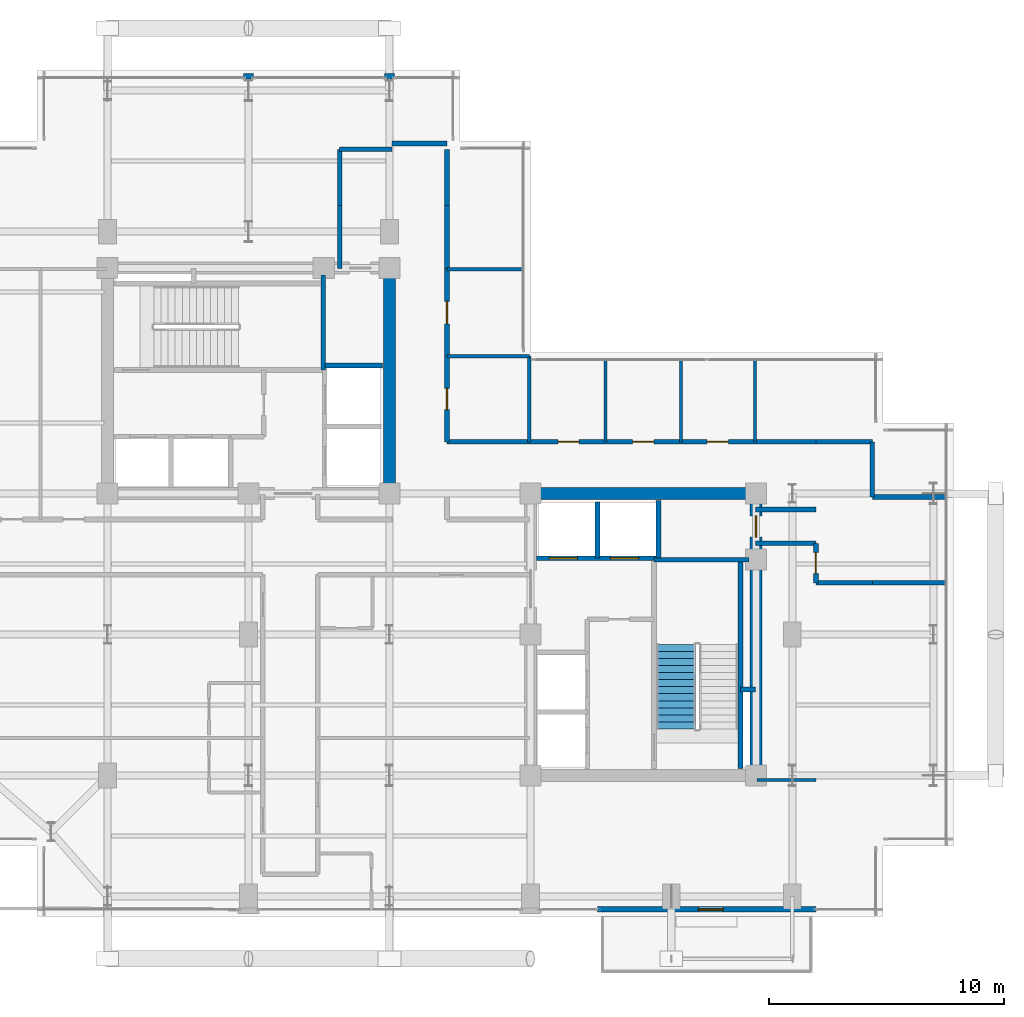
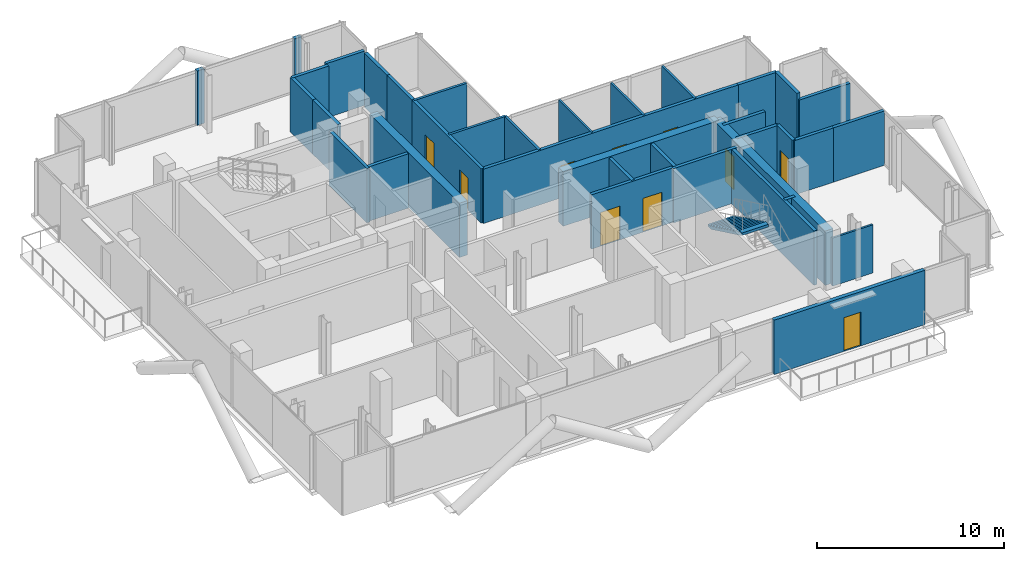
# One storey, part 21 of 25: 37 walls, 10 doors, 1 stair flight, 10 openings, 1 element without a shape of its own.
"""IFC4 building model written with IfcOpenShell, lengths in metres."""

import ifcopenshell
import ifcopenshell.guid

model = None  # the IFC model being written
_history = None  # IfcOwnerHistory: only IFC2X3 demands one
_inside = {}  # id of a spatial element -> (the spatial element, [elements in it])
_under = {}  # id of a project, library or spatial element -> (it, [spatial elements below it])
_declared = {}  # id of a project -> (the project, [libraries it declares])
_typed = {}  # id of a type object -> (the type object, [elements of that type])
_made_of = {}  # id of a material, layer set ... -> (it, [elements and type objects made of it])


def new_model(schema):
    """Start an empty IFC model of exactly this schema.

    Asked for "IFC4X3", IfcOpenShell would pick the latest addendum, in which some entities
    have other attributes; the version numbers below select the first issue.
    IFC2X3 requires an IfcOwnerHistory on every rooted entity: one is made here for all.
    """
    global model, _history
    if schema == "IFC4X3":
        model = ifcopenshell.file(schema_version=(4, 3, 0, 0))
    else:
        model = ifcopenshell.file(schema=schema)
    _inside.clear()
    _under.clear()
    _declared.clear()
    _typed.clear()
    _made_of.clear()
    _history = None
    if model.schema == "IFC2X3":
        org = make("IfcOrganization", Name="unknown")
        user = make(
            "IfcPersonAndOrganization",
            ThePerson=make("IfcPerson", FamilyName="unknown"),
            TheOrganization=org,
        )
        app = make(
            "IfcApplication",
            ApplicationDeveloper=org,
            Version="unknown",
            ApplicationFullName="unknown",
            ApplicationIdentifier="unknown",
        )
        _history = make(
            "IfcOwnerHistory",
            OwningUser=user,
            OwningApplication=app,
            ChangeAction="ADDED",
            CreationDate=0,
        )
    return model


def make(cls, **values):
    """One entity of the class cls with the attributes given. An attribute that is None is left unset."""
    return model.create_entity(
        cls, **{name: value for name, value in values.items() if value is not None}
    )


def rooted(cls, **values):
    """An entity with a GlobalId (a new one), such as an element, a storey or a relation."""
    return make(cls, GlobalId=ifcopenshell.guid.new(), OwnerHistory=_history, **values)


def si_unit(unit_type, name, prefix=None):
    """IfcSIUnit, for example si_unit("LENGTHUNIT", "METRE", prefix="MILLI")."""
    return make("IfcSIUnit", UnitType=unit_type, Prefix=prefix, Name=name)


def assignment(units):
    """IfcUnitAssignment: the units of a project."""
    return None if units is None else make("IfcUnitAssignment", Units=units)


def point(xyz):
    """IfcCartesianPoint."""
    return None if xyz is None else make("IfcCartesianPoint", Coordinates=xyz)


def direction(xyz):
    """IfcDirection."""
    return None if xyz is None else make("IfcDirection", DirectionRatios=xyz)


def frame(location, z_axis=None, x_axis=None):
    """IfcAxis2Placement3D, a coordinate frame: its origin and axes. An axis left out is left unset."""
    return make(
        "IfcAxis2Placement3D",
        Location=point(location),
        Axis=direction(z_axis),
        RefDirection=direction(x_axis),
    )


def frame_2d(location, x_axis=None):
    """IfcAxis2Placement2D, a coordinate frame in the plane: its origin and x axis."""
    return make(
        "IfcAxis2Placement2D", Location=point(location), RefDirection=direction(x_axis)
    )


def origin():
    """The frame at (0, 0, 0) with its axes left unset."""
    return frame((0.0, 0.0, 0.0))


def place(relative_to, where):
    """IfcLocalPlacement: puts the frame where relative to a parent placement (None: the world)."""
    return make(
        "IfcLocalPlacement", PlacementRelTo=relative_to, RelativePlacement=where
    )


def context(
    kind, dimensions, precision=None, world=None, true_north=None, identifier=None
):
    """IfcGeometricRepresentationContext, for example the 3D "Model" context."""
    return make(
        "IfcGeometricRepresentationContext",
        ContextIdentifier=identifier,
        ContextType=kind,
        CoordinateSpaceDimension=dimensions,
        Precision=precision,
        WorldCoordinateSystem=world,
        TrueNorth=true_north,
    )


def subcontext(parent, identifier, kind, view, scale=None):
    """IfcGeometricRepresentationSubContext, for example "Body" below "Model"."""
    return make(
        "IfcGeometricRepresentationSubContext",
        ContextIdentifier=identifier,
        ContextType=kind,
        ParentContext=parent,
        TargetScale=scale,
        TargetView=view,
    )


def project(units=None, contexts=None):
    """IfcProject with its units and contexts."""
    return rooted(
        "IfcProject",
        Name="project",
        RepresentationContexts=contexts,
        UnitsInContext=assignment(units),
    )


def spatial(cls, under=None, at=None, **own):
    """A site, building, storey or space (cls), placed at a placement, below another one or the project."""
    s = rooted(cls, ObjectPlacement=at, **own)
    if under is not None:
        _under.setdefault(under.id(), (under, []))[1].append(s)
    return s


def polyline(points):
    """IfcPolyline through the points."""
    return make("IfcPolyline", Points=[point(p) for p in points])


def profile(cls, at=None, kind="AREA", **sizes):
    """A parametric profile (cls). Its sizes go by their IFC names, for example OverallWidth=200.0."""
    return make(cls, ProfileType=kind, Position=at, **sizes)


def rectangle(**sizes):
    """IfcRectangleProfileDef."""
    return profile("IfcRectangleProfileDef", **sizes)


def outline(outer, holes=None, kind="AREA"):
    """IfcArbitraryClosedProfileDef: a profile drawn as a closed curve; with holes, ...WithVoids."""
    if holes is None:
        return make("IfcArbitraryClosedProfileDef", ProfileType=kind, OuterCurve=outer)
    return make(
        "IfcArbitraryProfileDefWithVoids",
        ProfileType=kind,
        OuterCurve=outer,
        InnerCurves=holes,
    )


def extrude(swept, where, along, depth):
    """IfcExtrudedAreaSolid: the profile swept, set in the frame where, extruded along a direction by depth."""
    return make(
        "IfcExtrudedAreaSolid",
        SweptArea=swept,
        Position=where,
        ExtrudedDirection=direction(along),
        Depth=depth,
    )


def shape(context_of_items, identifier, shape_type, items):
    """IfcShapeRepresentation: the items that make up one representation, for example the "Body"."""
    return make(
        "IfcShapeRepresentation",
        ContextOfItems=context_of_items,
        RepresentationIdentifier=identifier,
        RepresentationType=shape_type,
        Items=items,
    )


def material(Name=None, Category=None):
    """IfcMaterial."""
    return make("IfcMaterial", Name=Name, Category=Category)


def layer(
    of_material, thickness, ventilated=None, Name=None, Category=None, Priority=None
):
    """IfcMaterialLayer: one layer of a wall or slab, of a material (None: an air gap)."""
    return make(
        "IfcMaterialLayer",
        Material=of_material,
        LayerThickness=thickness,
        IsVentilated=ventilated,
        Name=Name,
        Category=Category,
        Priority=Priority,
    )


def layer_set(layers, Name=None):
    """IfcMaterialLayerSet."""
    return make("IfcMaterialLayerSet", MaterialLayers=layers, LayerSetName=Name)


def made_of(thing, what):
    """Note that an element or type object is made of a material, layer set ...; save() writes the relation."""
    if what is not None:
        _made_of.setdefault(what.id(), (what, []))[1].append(thing)
    return thing


def type_object(cls, material=None, **own):
    """A type object (cls), such as IfcWallType, which elements share."""
    return made_of(rooted(cls, **own), material)


def element(
    cls,
    number,
    at=None,
    inside=None,
    cuts=None,
    type_object=None,
    material=None,
    context=None,
    identifier="Body",
    shape_type=None,
    held_by="IfcProductDefinitionShape",
    body=None,
    shapes=None,
    **own,
):
    """One element of the class cls, such as IfcWall. Its Tag is "e" and its number.

    at: its placement. inside: the storey or other place that contains it. cuts: it is an
    opening in that element (IfcRelVoidsElement). A single representation is given by context,
    identifier, shape_type and body (its items); several are given by shapes. held_by: the class
    of the entity that holds the representations. save() writes the other relations.
    """
    e = rooted(cls, Tag="e%d" % number, ObjectPlacement=at, **own)
    if body is not None:
        shapes = [shape(context, identifier, shape_type, body)]
    if shapes is not None:
        e.Representation = make(held_by, Representations=shapes)
    if inside is not None:
        _inside.setdefault(inside.id(), (inside, []))[1].append(e)
    if cuts is not None:
        rooted(
            "IfcRelVoidsElement", RelatingBuildingElement=cuts, RelatedOpeningElement=e
        )
    if type_object is not None:
        _typed.setdefault(type_object.id(), (type_object, []))[1].append(e)
    return made_of(e, material)


def fill(opening, filler):
    """IfcRelFillsElement: the door or window that sits in an opening."""
    return rooted(
        "IfcRelFillsElement",
        RelatingOpeningElement=opening,
        RelatedBuildingElement=filler,
    )


def aggregate(whole, parts):
    """IfcRelAggregates: a whole, such as a stair, and the parts it consists of."""
    return rooted("IfcRelAggregates", RelatingObject=whole, RelatedObjects=parts)


def save(model, path):
    """Write the relations noted so far, then the file.

    IfcRelAggregates (storeys below a building ...), IfcRelContainedInSpatialStructure (elements
    in a storey), IfcRelDefinesByType, IfcRelAssociatesMaterial and IfcRelDeclares: one each for
    every whole, place, type object, material and project.
    """
    for whole, parts in _under.values():
        aggregate(whole, parts)
    for where, things in _inside.values():
        rooted(
            "IfcRelContainedInSpatialStructure",
            RelatedElements=things,
            RelatingStructure=where,
        )
    for kind, things in _typed.values():
        rooted("IfcRelDefinesByType", RelatedObjects=things, RelatingType=kind)
    for what, things in _made_of.values():
        rooted("IfcRelAssociatesMaterial", RelatedObjects=things, RelatingMaterial=what)
    for by, libraries in _declared.values():
        rooted("IfcRelDeclares", RelatingContext=by, RelatedDefinitions=libraries)
    model.write(path)


model = new_model("IFC4")

# Units and contexts
model_context = context("Model", 3, precision=1e-05, world=origin(), true_north=direction((0.0, 1.0)))
body_context = subcontext(model_context, "Body", "Model", "MODEL_VIEW")
ifc_project = project(units=[si_unit("LENGTHUNIT", "METRE"), si_unit("AREAUNIT", "SQUARE_METRE"), si_unit("VOLUMEUNIT", "CUBIC_METRE"), si_unit("PLANEANGLEUNIT", "RADIAN"), si_unit("MASSUNIT", "GRAM", prefix="KILO"), si_unit("THERMODYNAMICTEMPERATUREUNIT", "KELVIN"), si_unit("POWERUNIT", "WATT")], contexts=[model_context])

# Site, building, storey
site_placement = place(None, origin())
site = spatial("IfcSite", under=ifc_project, at=site_placement, CompositionType="ELEMENT")
building_placement = place(site_placement, origin())
building = spatial("IfcBuilding", under=site, at=building_placement, Name="Svarakhadi Broadcast Tower", CompositionType="ELEMENT")
storey_placement = place(building_placement, frame((0.0, 0.0, 212.39990234375)))
storey = spatial("IfcBuildingStorey", under=building, at=storey_placement, Name="L52", CompositionType="ELEMENT", Elevation=212.39990234375)

# Walls
ifc_material_1 = material(Name="Double-Stud Acoustic Studio Partition STC-62", Category="gypsum")
ifc_layer_1 = layer(ifc_material_1, 0.199951171875)
ifc_layer_set_1 = layer_set([ifc_layer_1], Name="Double-Stud Acoustic Studio Partition STC-62")
wall_type_1 = type_object("IfcWallType", Name="Wall_Acoust_200", PredefinedType="PARTITIONING", material=ifc_layer_set_1)
wall_1_placement = place(storey_placement, frame((15.8798828125, 27.580078125, 0.0), z_axis=(0.0, 0.0, 1.0), x_axis=(0.0, 1.0, 0.0)))
element("IfcWall", 1, at=wall_1_placement, inside=storey, type_object=wall_type_1, Name="L52 Upper Tower Concourse Wall", PredefinedType="PARTITIONING", context=body_context, shape_type="SweptSolid", body=[
    extrude(rectangle(XDim=2.669921875, YDim=0.199951171875, at=frame_2d((1.3349609375, 0.0))), origin(), (0.0, 0.0, 1.0), 3.5400390625),
])
wall_2_placement = place(storey_placement, frame((15.8798828125, 30.25, 0.0), z_axis=(0.0, 0.0, 1.0), x_axis=(0.0, 1.0, 0.0)))
element("IfcWall", 2, at=wall_2_placement, inside=storey, type_object=wall_type_1, Name="L52 Upper Tower Concourse Wall", PredefinedType="PARTITIONING", context=body_context, shape_type="SweptSolid", body=[
    extrude(rectangle(XDim=2.39990234375, YDim=0.199951171875, at=frame_2d((1.199951171875, 0.0))), origin(), (0.0, 0.0, 1.0), 3.5400390625),
])
wall_3_placement = place(storey_placement, frame((15.8798828125, 32.64990234375, 0.0), z_axis=(0.0, 0.0, 1.0), x_axis=(1.0, 0.0, 0.0)))
element("IfcWall", 3, at=wall_3_placement, inside=storey, type_object=wall_type_1, Name="L52 Upper Tower Concourse Wall", PredefinedType="PARTITIONING", context=body_context, shape_type="SweptSolid", body=[
    extrude(rectangle(XDim=2.22021484375, YDim=0.199951171875, at=frame_2d((1.110107421875, 0.0))), origin(), (0.0, 0.0, 1.0), 3.5400390625),
])
wall_4_placement = place(storey_placement, frame((18.10009765625, 32.89990234375, 0.0), z_axis=(0.0, 0.0, 1.0), x_axis=(1.0, 0.0, 0.0)))
element("IfcWall", 4, at=wall_4_placement, inside=storey, type_object=wall_type_1, Name="L52 Upper Tower Concourse Wall", PredefinedType="PARTITIONING", context=body_context, shape_type="SweptSolid", body=[
    extrude(rectangle(XDim=2.349853515625, YDim=0.199951171875, at=frame_2d((1.1748046875, 0.0))), origin(), (0.0, 0.0, 1.0), 3.5400390625),
])
wall_5_placement = place(storey_placement, frame((20.449951171875, 32.64990234375, 0.0), z_axis=(0.0, 0.0, 1.0), x_axis=(0.0, -1.0, 0.0)))
element("IfcWall", 5, at=wall_5_placement, inside=storey, type_object=wall_type_1, Name="L52 Upper Tower Concourse Wall", PredefinedType="PARTITIONING", context=body_context, shape_type="SweptSolid", body=[
    extrude(rectangle(XDim=2.39990234375, YDim=0.199951171875, at=frame_2d((1.199951171875, 0.0))), origin(), (0.0, 0.0, 1.0), 3.5400390625),
])
wall_6_placement = place(storey_placement, frame((20.449951171875, 30.25, 0.0), z_axis=(0.0, 0.0, 1.0), x_axis=(0.0, -1.0, 0.0)))
element("IfcWall", 6, at=wall_6_placement, inside=storey, type_object=wall_type_1, Name="L52 Upper Tower Concourse Wall", PredefinedType="PARTITIONING", context=body_context, shape_type="SweptSolid", body=[
    extrude(rectangle(XDim=2.669921875, YDim=0.199951171875, at=frame_2d((1.3349609375, 0.0))), origin(), (0.0, 0.0, 1.0), 3.5400390625),
])

# Wall, openings, doors
wall_7_placement = place(storey_placement, frame((20.449951171875, 27.580078125, 0.0), z_axis=(0.0, 0.0, 1.0), x_axis=(0.0, -1.0, 0.0)))
wall_7 = element("IfcWall", 7, at=wall_7_placement, inside=storey, type_object=wall_type_1, Name="L52 Upper Tower Concourse Wall", PredefinedType="PARTITIONING", context=body_context, shape_type="SweptSolid", body=[
    extrude(rectangle(XDim=7.380126953125, YDim=0.199951171875, at=frame_2d((3.68994140625, 0.0))), origin(), (0.0, 0.0, 1.0), 3.5400390625),
])
opening_1_placement = place(wall_7_placement, frame((5.10498046875, 0.0, 0.0)))
opening_1 = element("IfcOpeningElement", 8, at=opening_1_placement, cuts=wall_7, Name="Opening D-12", PredefinedType="OPENING", context=body_context, shape_type="SweptSolid", body=[
    extrude(rectangle(XDim=0.89990234375, YDim=2.10009765625, at=frame_2d((0.449951171875, 1.050048828125))), frame((0.0, 0.10986328125, 0.0), z_axis=(0.0, -1.0, 0.0), x_axis=(1.0, 0.0, 0.0)), (0.0, 0.0, 1.0), 0.219970703125),
])
opening_2_placement = place(wall_7_placement, frame((1.405029296875, 0.0, 0.0)))
opening_2 = element("IfcOpeningElement", 9, at=opening_2_placement, cuts=wall_7, Name="Opening D-07", PredefinedType="OPENING", context=body_context, shape_type="SweptSolid", body=[
    extrude(rectangle(XDim=0.949951171875, YDim=2.14990234375, at=frame_2d((0.47509765625, 1.074951171875))), frame((0.0, 0.10986328125, 0.0), z_axis=(0.0, -1.0, 0.0), x_axis=(1.0, 0.0, 0.0)), (0.0, 0.0, 1.0), 0.219970703125),
])
ifc_material_2 = material(Name="Solid-Core Teak Veneer Acoustic Timber Leaf", Category="wood")
door_type_1 = type_object("IfcDoorType", Name="Door_Office_D07", OperationType="SINGLE_SWING_RIGHT", PredefinedType="DOOR", material=ifc_material_2)
door_1_placement = place(opening_2_placement, origin())
door_1 = element("IfcDoor", 10, at=door_1_placement, inside=storey, type_object=door_type_1, Name="L52 Hotel Butler Service Pantry Door", OperationType="SINGLE_SWING_RIGHT", OverallHeight=2.14990234375, OverallWidth=0.949951171875, PredefinedType="DOOR", context=body_context, shape_type="SweptSolid", body=[
    extrude(rectangle(XDim=0.949951171875, YDim=2.14990234375, at=frame_2d((0.47509765625, 1.074951171875))), frame((0.0, 0.02490234375, 0.0), z_axis=(0.0, -1.0, 0.0), x_axis=(1.0, 0.0, 0.0)), (0.0, 0.0, 1.0), 0.050048828125),
])
fill(opening_2, door_1)
door_type_2 = type_object("IfcDoorType", Name="Door_WC_D01", OperationType="SINGLE_SWING_LEFT", PredefinedType="DOOR", material=ifc_material_2)
door_2_placement = place(opening_1_placement, origin())
door_2 = element("IfcDoor", 11, at=door_2_placement, inside=storey, type_object=door_type_2, Name="L52 Accessible Visitor Washroom WC Door", OperationType="SINGLE_SWING_LEFT", OverallHeight=2.10009765625, OverallWidth=0.89990234375, PredefinedType="DOOR", context=body_context, shape_type="SweptSolid", body=[
    extrude(rectangle(XDim=0.89990234375, YDim=2.10009765625, at=frame_2d((0.449951171875, 1.050048828125))), frame((0.0, 0.02490234375, 0.0), z_axis=(0.0, -1.0, 0.0), x_axis=(1.0, 0.0, 0.0)), (0.0, 0.0, 1.0), 0.050048828125),
])
fill(opening_1, door_2)

wall_8_placement = place(storey_placement, frame((20.449951171875, 20.199951171875, 0.0), z_axis=(0.0, 0.0, 1.0), x_axis=(1.0, 0.0, 0.0)))
wall_8 = element("IfcWall", 12, at=wall_8_placement, inside=storey, type_object=wall_type_1, Name="L52 Upper Tower Concourse Wall", PredefinedType="PARTITIONING", context=body_context, shape_type="SweptSolid", body=[
    extrude(rectangle(XDim=15.699951171875, YDim=0.199951171875, at=frame_2d((7.85009765625, 0.0))), origin(), (0.0, 0.0, 1.0), 3.5400390625),
])
opening_3_placement = place(wall_8_placement, frame((4.72509765625, 0.0, 0.0)))
opening_3 = element("IfcOpeningElement", 13, at=opening_3_placement, cuts=wall_8, Name="Opening D-14", PredefinedType="OPENING", context=body_context, shape_type="SweptSolid", body=[
    extrude(rectangle(XDim=0.89990234375, YDim=2.10009765625, at=frame_2d((0.449951171875, 1.050048828125))), frame((0.0, 0.10986328125, 0.0), z_axis=(0.0, -1.0, 0.0), x_axis=(1.0, 0.0, 0.0)), (0.0, 0.0, 1.0), 0.219970703125),
])
opening_4_placement = place(wall_8_placement, frame((7.89990234375, 0.0, 0.0)))
opening_4 = element("IfcOpeningElement", 14, at=opening_4_placement, cuts=wall_8, Name="Opening D-15", PredefinedType="OPENING", context=body_context, shape_type="SweptSolid", body=[
    extrude(rectangle(XDim=0.89990234375, YDim=2.10009765625, at=frame_2d((0.449951171875, 1.050048828125))), frame((0.0, 0.10986328125, 0.0), z_axis=(0.0, -1.0, 0.0), x_axis=(1.0, 0.0, 0.0)), (0.0, 0.0, 1.0), 0.219970703125),
])
opening_5_placement = place(wall_8_placement, frame((11.074951171875, 0.0, 0.0)))
opening_5 = element("IfcOpeningElement", 15, at=opening_5_placement, cuts=wall_8, Name="Opening D-14", PredefinedType="OPENING", context=body_context, shape_type="SweptSolid", body=[
    extrude(rectangle(XDim=0.89990234375, YDim=2.10009765625, at=frame_2d((0.449951171875, 1.050048828125))), frame((0.0, 0.10986328125, 0.0), z_axis=(0.0, -1.0, 0.0), x_axis=(1.0, 0.0, 0.0)), (0.0, 0.0, 1.0), 0.219970703125),
])
door_type_3 = type_object("IfcDoorType", Name="Door_Int_D14", OperationType="SINGLE_SWING_LEFT", PredefinedType="DOOR", material=ifc_material_2)
door_3_placement = place(opening_3_placement, origin())
door_3 = element("IfcDoor", 16, at=door_3_placement, inside=storey, type_object=door_type_3, Name="L52 Harbour Sky Club Reading Room Door", OperationType="SINGLE_SWING_LEFT", OverallHeight=2.10009765625, OverallWidth=0.89990234375, PredefinedType="DOOR", context=body_context, shape_type="SweptSolid", body=[
    extrude(rectangle(XDim=0.89990234375, YDim=2.10009765625, at=frame_2d((0.449951171875, 1.050048828125))), frame((0.0, 0.02490234375, 0.0), z_axis=(0.0, -1.0, 0.0), x_axis=(1.0, 0.0, 0.0)), (0.0, 0.0, 1.0), 0.050048828125),
])
fill(opening_3, door_3)
door_4_placement = place(opening_5_placement, origin())
door_4 = element("IfcDoor", 17, at=door_4_placement, inside=storey, type_object=door_type_3, Name="L52 VIP Guest Concierge Office Door", OperationType="SINGLE_SWING_LEFT", OverallHeight=2.10009765625, OverallWidth=0.89990234375, PredefinedType="DOOR", context=body_context, shape_type="SweptSolid", body=[
    extrude(rectangle(XDim=0.89990234375, YDim=2.10009765625, at=frame_2d((0.449951171875, 1.050048828125))), frame((0.0, 0.02490234375, 0.0), z_axis=(0.0, -1.0, 0.0), x_axis=(1.0, 0.0, 0.0)), (0.0, 0.0, 1.0), 0.050048828125),
])
fill(opening_5, door_4)
door_type_4 = type_object("IfcDoorType", Name="Door_Int_D15", OperationType="SINGLE_SWING_RIGHT", PredefinedType="DOOR", material=ifc_material_2)
door_5_placement = place(opening_4_placement, origin())
door_5 = element("IfcDoor", 18, at=door_5_placement, inside=storey, type_object=door_type_4, Name="L52 Private Sommelier Tasting Pantry Door", OperationType="SINGLE_SWING_RIGHT", OverallHeight=2.10009765625, OverallWidth=0.89990234375, PredefinedType="DOOR", context=body_context, shape_type="SweptSolid", body=[
    extrude(rectangle(XDim=0.89990234375, YDim=2.10009765625, at=frame_2d((0.449951171875, 1.050048828125))), frame((0.0, 0.02490234375, 0.0), z_axis=(0.0, -1.0, 0.0), x_axis=(1.0, 0.0, 0.0)), (0.0, 0.0, 1.0), 0.050048828125),
])
fill(opening_4, door_5)

# Walls
wall_9_placement = place(storey_placement, frame((36.14990234375, 20.199951171875, 0.0), z_axis=(0.0, 0.0, 1.0), x_axis=(1.0, 0.0, 0.0)))
element("IfcWall", 19, at=wall_9_placement, inside=storey, type_object=wall_type_1, Name="L52 Upper Tower Concourse Wall", PredefinedType="PARTITIONING", context=body_context, shape_type="SweptSolid", body=[
    extrude(rectangle(XDim=2.400146484375, YDim=0.199951171875, at=frame_2d((1.2001953125, 0.0))), origin(), (0.0, 0.0, 1.0), 3.5400390625),
])
wall_10_placement = place(storey_placement, frame((38.550048828125, 20.199951171875, 0.0), z_axis=(0.0, 0.0, 1.0), x_axis=(0.0, -1.0, 0.0)))
element("IfcWall", 20, at=wall_10_placement, inside=storey, type_object=wall_type_1, Name="L52 Upper Tower Concourse Wall", PredefinedType="PARTITIONING", context=body_context, shape_type="SweptSolid", body=[
    extrude(rectangle(XDim=2.349853515625, YDim=0.199951171875, at=frame_2d((1.1748046875, 0.0))), origin(), (0.0, 0.0, 1.0), 3.5400390625),
])
wall_11_placement = place(storey_placement, frame((38.550048828125, 17.85009765625, 0.0), z_axis=(0.0, 0.0, 1.0), x_axis=(1.0, 0.0, 0.0)))
element("IfcWall", 21, at=wall_11_placement, inside=storey, type_object=wall_type_1, Name="L52 Upper Tower Concourse Wall", PredefinedType="PARTITIONING", context=body_context, shape_type="SweptSolid", body=[
    extrude(rectangle(XDim=3.14990234375, YDim=0.199951171875, at=frame_2d((1.574951171875, 0.0))), origin(), (0.0, 0.0, 1.0), 3.132080078125),
])
wall_12_placement = place(storey_placement, frame((41.699951171875, 14.199951171875, 0.0), z_axis=(0.0, 0.0, 1.0), x_axis=(-1.0, 0.0, 0.0)))
element("IfcWall", 22, at=wall_12_placement, inside=storey, type_object=wall_type_1, Name="L52 Upper Tower Concourse Wall", PredefinedType="PARTITIONING", context=body_context, shape_type="SweptSolid", body=[
    extrude(rectangle(XDim=3.14990234375, YDim=0.199951171875, at=frame_2d((1.574951171875, 0.0))), origin(), (0.0, 0.0, 1.0), 3.5400390625),
])
wall_13_placement = place(storey_placement, frame((38.550048828125, 14.199951171875, 0.0), z_axis=(0.0, 0.0, 1.0), x_axis=(-1.0, 0.0, 0.0)))
element("IfcWall", 23, at=wall_13_placement, inside=storey, type_object=wall_type_1, Name="L52 Upper Tower Concourse Wall", PredefinedType="PARTITIONING", context=body_context, shape_type="SweptSolid", body=[
    extrude(rectangle(XDim=2.400146484375, YDim=0.199951171875, at=frame_2d((1.2001953125, 0.0))), origin(), (0.0, 0.0, 1.0), 3.5400390625),
])

# Wall, opening, door
wall_14_placement = place(storey_placement, frame((36.14990234375, 14.199951171875, 0.0), z_axis=(0.0, 0.0, 1.0), x_axis=(0.0, 1.0, 0.0)))
wall_14 = element("IfcWall", 24, at=wall_14_placement, inside=storey, type_object=wall_type_1, Name="L52 Upper Tower Concourse Wall", PredefinedType="PARTITIONING", context=body_context, shape_type="SweptSolid", body=[
    extrude(rectangle(XDim=1.679931640625, YDim=0.199951171875, at=frame_2d((0.83984375, 0.0))), origin(), (0.0, 0.0, 1.0), 3.5400390625),
])
opening_6_placement = place(wall_14_placement, frame((0.389892578125, 0.0, 0.0)))
opening_6 = element("IfcOpeningElement", 25, at=opening_6_placement, cuts=wall_14, Name="Opening D-15", PredefinedType="OPENING", context=body_context, shape_type="SweptSolid", body=[
    extrude(rectangle(XDim=0.89990234375, YDim=2.10009765625, at=frame_2d((0.449951171875, 1.050048828125))), frame((0.0, 0.10986328125, 0.0), z_axis=(0.0, -1.0, 0.0), x_axis=(1.0, 0.0, 0.0)), (0.0, 0.0, 1.0), 0.219970703125),
])
door_6_placement = place(opening_6_placement, origin())
door_6 = element("IfcDoor", 26, at=door_6_placement, inside=storey, type_object=door_type_4, Name="L52 Harbour Club Reading Salon Door", OperationType="SINGLE_SWING_RIGHT", OverallHeight=2.10009765625, OverallWidth=0.89990234375, PredefinedType="DOOR", context=body_context, shape_type="SweptSolid", body=[
    extrude(rectangle(XDim=0.89990234375, YDim=2.10009765625, at=frame_2d((0.449951171875, 1.050048828125))), frame((0.0, 0.02490234375, 0.0), z_axis=(0.0, -1.0, 0.0), x_axis=(1.0, 0.0, 0.0)), (0.0, 0.0, 1.0), 0.050048828125),
])
fill(opening_6, door_6)

# Walls
for number, where, z_axis, x_axis, name in (
    (27, (36.14990234375, 15.8798828125, 0.0), (0.0, 0.0, 1.0), (-1.0, 0.0, 0.0), "L52 Upper Tower Concourse Wall"),
    (28, (33.580078125, 17.320068359375, 0.0), (0.0, 0.0, 1.0), (1.0, 0.0, 0.0), "L52 Upper Tower Concourse Wall"),
):
    element("IfcWall", number, at=place(storey_placement, frame(where, z_axis=z_axis, x_axis=x_axis)), inside=storey, type_object=wall_type_1, Name=name, PredefinedType="PARTITIONING", context=body_context, shape_type="SweptSolid", body=[
        extrude(rectangle(XDim=2.56982421875, YDim=0.199951171875, at=frame_2d((1.284912109375, 0.0))), origin(), (0.0, 0.0, 1.0), 3.5400390625),
    ])

# Wall, opening, door
ifc_material_3 = material(Name="Concrete C40/50 (IS 456 M50)", Category="concrete")
ifc_layer_2 = layer(ifc_material_3, 0.239990234375)
ifc_layer_set_2 = layer_set([ifc_layer_2], Name="Concrete C40/50 (IS 456 M50)")
wall_type_2 = type_object("IfcWallType", Name="Wall_Ext_240", PredefinedType="SOLIDWALL", material=ifc_layer_set_2)
wall_15_placement = place(storey_placement, frame((36.14501953125, 0.300048828125, 0.0), z_axis=(0.0, 0.0, 1.0), x_axis=(-1.0, 0.0, 0.0)))
wall_15 = element("IfcWall", 29, at=wall_15_placement, inside=storey, type_object=wall_type_2, Name="L52 South Tree Balcony Spandrel Wall", PredefinedType="SOLIDWALL", context=body_context, shape_type="SweptSolid", body=[
    extrude(rectangle(XDim=9.2900390625, YDim=0.239990234375, at=frame_2d((4.64501953125, 0.0))), origin(), (0.0, 0.0, 1.0), 3.5400390625),
])
opening_7_placement = place(wall_15_placement, frame((3.945068359375, 0.0, 0.0)))
opening_7 = element("IfcOpeningElement", 30, at=opening_7_placement, cuts=wall_15, Name="Opening ED-06", PredefinedType="OPENING", context=body_context, shape_type="SweptSolid", body=[
    extrude(rectangle(XDim=1.050048828125, YDim=2.199951171875, at=frame_2d((0.52490234375, 1.10009765625))), frame((0.0, 0.1298828125, 0.0), z_axis=(0.0, -1.0, 0.0), x_axis=(1.0, 0.0, 0.0)), (0.0, 0.0, 1.0), 0.260009765625),
])
ifc_material_4 = material(Name="Anodised Bronze Aluminium AA 6063-T6", Category="aluminium")
door_type_5 = type_object("IfcDoorType", Name="Door_Ext_ED06", OperationType="SINGLE_SWING_RIGHT", PredefinedType="DOOR", material=ifc_material_4)
door_7_placement = place(opening_7_placement, origin())
door_7 = element("IfcDoor", 31, at=door_7_placement, inside=storey, type_object=door_type_5, Name="L52 South Tree Balcony Door", OperationType="SINGLE_SWING_RIGHT", OverallHeight=2.199951171875, OverallWidth=1.050048828125, PredefinedType="DOOR", context=body_context, shape_type="SweptSolid", body=[
    extrude(rectangle(XDim=1.050048828125, YDim=2.199951171875, at=frame_2d((0.52490234375, 1.10009765625))), frame((0.0, 0.02490234375, 0.0), z_axis=(0.0, -1.0, 0.0), x_axis=(1.0, 0.0, 0.0)), (0.0, 0.0, 1.0), 0.050048828125),
])
fill(opening_7, door_7)

# Walls
for number, where, z_axis, x_axis, name in (
    (32, (11.784912109375, 35.760009765625, 0.0), (0.0, 0.0, 1.0), (1.0, 0.0, 0.0), "L52 Perimeter Bronze Spandrel Closure Wall 01"),
    (33, (17.784912109375, 35.760009765625, 0.0), (0.0, 0.0, 1.0), (1.0, 0.0, 0.0), "L52 Perimeter Bronze Spandrel Closure Wall 02"),
):
    element("IfcWall", number, at=place(storey_placement, frame(where, z_axis=z_axis, x_axis=x_axis)), inside=storey, type_object=wall_type_2, Name=name, PredefinedType="SOLIDWALL", context=body_context, shape_type="SweptSolid", body=[
        extrude(rectangle(XDim=0.43017578125, YDim=0.239990234375, at=frame_2d((0.215087890625, 0.0))), origin(), (0.0, 0.0, 1.0), 3.5400390625),
    ])
ifc_layer_3 = layer(ifc_material_3, 0.199951171875)
ifc_layer_set_3 = layer_set([ifc_layer_3], Name="Concrete C40/50 (IS 456 M50)")
wall_type_3 = type_object("IfcWallType", Name="Wall_Fire_200", PredefinedType="SOLIDWALL", material=ifc_layer_set_3)
wall_16_placement = place(storey_placement, frame((32.93994140625, 9.659912109375, 0.0), z_axis=(0.0, 0.0, 1.0), x_axis=(1.0, 0.0, 0.0)))
element("IfcWall", 34, at=wall_16_placement, inside=storey, type_object=wall_type_3, Name="L52 HV Busduct Riser Shaft North Wall", PredefinedType="SOLIDWALL", context=body_context, shape_type="SweptSolid", body=[
    extrude(rectangle(XDim=0.64013671875, YDim=0.199951171875, at=frame_2d((0.320068359375, 0.0))), origin(), (0.0, 0.0, 1.0), 3.5400390625),
])
ifc_material_5 = material(Name="Fire-Rated Moisture-Resistant Gypsum Board Partition", Category="gypsum")
ifc_layer_4 = layer(ifc_material_5, 0.125)
ifc_layer_set_4 = layer_set([ifc_layer_4], Name="Fire-Rated Moisture-Resistant Gypsum Board Partition")
wall_type_4 = type_object("IfcWallType", Name="Wall_Part_125", PredefinedType="PARTITIONING", material=ifc_layer_set_4)
for number, where, z_axis, x_axis, name in (
    (35, (27.199951171875, 20.199951171875, 0.0), (0.0, 0.0, 1.0), (0.0, 1.0, 0.0), "L52 Harbour Sky Club Reading Room Wall"),
    (36, (30.39990234375, 20.199951171875, 0.0), (0.0, 0.0, 1.0), (0.0, 1.0, 0.0), "L52 Private Sommelier Tasting Pantry Wall"),
    (37, (33.550048828125, 20.199951171875, 0.0), (0.0, 0.0, 1.0), (0.0, 1.0, 0.0), "L52 VIP Guest Concierge Office Wall"),
):
    element("IfcWall", number, at=place(storey_placement, frame(where, z_axis=z_axis, x_axis=x_axis)), inside=storey, type_object=wall_type_4, Name=name, PredefinedType="PARTITIONING", context=body_context, shape_type="SweptSolid", body=[
        extrude(rectangle(XDim=3.5, YDim=0.125, at=frame_2d((1.75, 0.0))), origin(), (0.0, 0.0, 1.0), 3.5400390625),
    ])
wall_17_placement = place(storey_placement, frame((33.64990234375, 5.800048828125, 0.0), z_axis=(0.0, 0.0, 1.0), x_axis=(1.0, 0.0, 0.0)))
element("IfcWall", 38, at=wall_17_placement, inside=storey, type_object=wall_type_4, Name="L52 Harbour Club Reading Salon Wall", PredefinedType="PARTITIONING", context=body_context, shape_type="SweptSolid", body=[
    extrude(rectangle(XDim=2.5, YDim=0.125, at=frame_2d((1.25, 0.0))), origin(), (0.0, 0.0, 1.0), 3.132080078125),
])
ifc_material_6 = material(Name="Autoclaved Aerated Concrete Blockwork 150 mm", Category="masonry")
ifc_layer_5 = layer(ifc_material_6, 0.14990234375)
ifc_layer_set_5 = layer_set([ifc_layer_5], Name="Autoclaved Aerated Concrete Blockwork 150 mm")
wall_type_5 = type_object("IfcWallType", Name="Wall_Part_150", PredefinedType="PARTITIONING", material=ifc_layer_set_5)
wall_18_placement = place(storey_placement, frame((20.449951171875, 23.85009765625, 0.0), z_axis=(0.0, 0.0, 1.0), x_axis=(1.0, 0.0, 0.0)))
element("IfcWall", 39, at=wall_18_placement, inside=storey, type_object=wall_type_5, Name="L52 Accessible Visitor Washroom WC Wall", PredefinedType="PARTITIONING", context=body_context, shape_type="SweptSolid", body=[
    extrude(rectangle(XDim=3.5, YDim=0.14990234375, at=frame_2d((1.75, 0.0))), origin(), (0.0, 0.0, 1.0), 3.5400390625),
])
wall_19_placement = place(storey_placement, frame((23.949951171875, 20.199951171875, 0.0), z_axis=(0.0, 0.0, 1.0), x_axis=(0.0, 1.0, 0.0)))
element("IfcWall", 40, at=wall_19_placement, inside=storey, type_object=wall_type_5, Name="L52 Accessible Visitor Washroom WC Wall", PredefinedType="PARTITIONING", context=body_context, shape_type="SweptSolid", body=[
    extrude(rectangle(XDim=3.650146484375, YDim=0.14990234375, at=frame_2d((1.8251953125, 0.0))), origin(), (0.0, 0.0, 1.0), 3.5400390625),
])
wall_20_placement = place(storey_placement, frame((20.449951171875, 27.550048828125, 0.0), z_axis=(0.0, 0.0, 1.0), x_axis=(1.0, 0.0, 0.0)))
element("IfcWall", 41, at=wall_20_placement, inside=storey, type_object=wall_type_5, Name="L52 Hotel Butler Service Pantry Wall", PredefinedType="PARTITIONING", context=body_context, shape_type="SweptSolid", body=[
    extrude(rectangle(XDim=3.25, YDim=0.14990234375, at=frame_2d((1.625, 0.0))), origin(), (0.0, 0.0, 1.0), 3.5400390625),
])
ifc_material_7 = material(Name="Concrete C50/60 (IS 456 M60)", Category="concrete")
ifc_layer_6 = layer(ifc_material_7, 0.199951171875)
ifc_layer_set_6 = layer_set([ifc_layer_6], Name="Concrete C50/60 (IS 456 M60)")
wall_type_6 = type_object("IfcWallType", Name="Wall_Shear_200", PredefinedType="SHEAR", material=ifc_layer_set_6)
wall_21_placement = place(storey_placement, frame((15.179931640625, 23.260009765625, 0.0), z_axis=(0.0, 0.0, 1.0), x_axis=(0.0, 1.0, 0.0)))
element("IfcWall", 42, at=wall_21_placement, inside=storey, type_object=wall_type_6, Name="L52 Stair ST-01 East RC Shaft Wall", PredefinedType="SHEAR", context=body_context, shape_type="SweptSolid", body=[
    extrude(rectangle(XDim=4.0400390625, YDim=0.199951171875, at=frame_2d((2.02001953125, 0.0))), origin(), (0.0, 0.0, 1.0), 3.5400390625),
])
wall_22_placement = place(storey_placement, frame((32.93994140625, 6.300048828125, 0.0), z_axis=(0.0, 0.0, 1.0), x_axis=(0.0, 1.0, 0.0)))
element("IfcWall", 43, at=wall_22_placement, inside=storey, type_object=wall_type_6, Name="L52 Stair ST-02 East RC Shaft Wall", PredefinedType="SHEAR", context=body_context, shape_type="SweptSolid", body=[
    extrude(rectangle(XDim=8.8798828125, YDim=0.199951171875, at=frame_2d((4.43994140625, 0.0))), origin(), (0.0, 0.0, 1.0), 3.5400390625),
])
wall_23_placement = place(storey_placement, frame((29.260009765625, 15.179931640625, 0.0), z_axis=(0.0, 0.0, 1.0), x_axis=(1.0, 0.0, 0.0)))
element("IfcWall", 44, at=wall_23_placement, inside=storey, type_object=wall_type_6, Name="L52 Stair ST-02 North RC Shaft Wall", PredefinedType="SHEAR", context=body_context, shape_type="SweptSolid", body=[
    extrude(rectangle(XDim=4.0400390625, YDim=0.199951171875, at=frame_2d((2.02001953125, 0.0))), origin(), (0.0, 0.0, 1.0), 3.5400390625),
])
wall_24_placement = place(storey_placement, frame((15.25, 23.449951171875, 0.0), z_axis=(0.0, 0.0, 1.0), x_axis=(1.0, 0.0, 0.0)))
element("IfcWall", 45, at=wall_24_placement, inside=storey, type_object=wall_type_6, Name="L52 High-Rise Lift LF-13/14 North Wall", PredefinedType="SHEAR", context=body_context, shape_type="SweptSolid", body=[
    extrude(rectangle(XDim=2.449951171875, YDim=0.199951171875, at=frame_2d((1.22509765625, 0.0))), origin(), (0.0, 0.0, 1.0), 3.5400390625),
])

# Wall, openings, doors
wall_25_placement = place(storey_placement, frame((24.25, 15.25, 0.0), z_axis=(0.0, 0.0, 1.0), x_axis=(1.0, 0.0, 0.0)))
wall_25 = element("IfcWall", 46, at=wall_25_placement, inside=storey, type_object=wall_type_6, Name="L52 High-Rise Lift LF-15/16 South Shaft Wall", PredefinedType="SHEAR", context=body_context, shape_type="SweptSolid", body=[
    extrude(rectangle(XDim=5.199951171875, YDim=0.199951171875, at=frame_2d((2.60009765625, 0.0))), origin(), (0.0, 0.0, 1.0), 3.5400390625),
])
opening_8_placement = place(wall_25_placement, frame((0.550048828125, 0.0, 0.0)))
opening_8 = element("IfcOpeningElement", 47, at=opening_8_placement, cuts=wall_25, Name="Opening LD-02", PredefinedType="OPENING", context=body_context, shape_type="SweptSolid", body=[
    extrude(rectangle(XDim=1.199951171875, YDim=2.199951171875, at=frame_2d((0.60009765625, 1.10009765625))), frame((0.0, 0.10986328125, 0.0), z_axis=(0.0, -1.0, 0.0), x_axis=(1.0, 0.0, 0.0)), (0.0, 0.0, 1.0), 0.219970703125),
])
opening_9_placement = place(wall_25_placement, frame((3.14990234375, 0.0, 0.0)))
opening_9 = element("IfcOpeningElement", 48, at=opening_9_placement, cuts=wall_25, Name="Opening LD-02", PredefinedType="OPENING", context=body_context, shape_type="SweptSolid", body=[
    extrude(rectangle(XDim=1.199951171875, YDim=2.199951171875, at=frame_2d((0.60009765625, 1.10009765625))), frame((0.0, 0.10986328125, 0.0), z_axis=(0.0, -1.0, 0.0), x_axis=(1.0, 0.0, 0.0)), (0.0, 0.0, 1.0), 0.219970703125),
])
ifc_material_8 = material(Name="Galvanised Powder-Coated Fire-Rated Steel Leaf", Category="steel")
door_type_6 = type_object("IfcDoorType", Name="Door_Lift_LD02", OperationType="SLIDING_TO_RIGHT", PredefinedType="DOOR", material=ifc_material_8)
door_8_placement = place(opening_8_placement, origin())
door_8 = element("IfcDoor", 49, at=door_8_placement, inside=storey, type_object=door_type_6, Name="L52 High-Rise Lift LF-15 Landing Door", OperationType="SLIDING_TO_RIGHT", OverallHeight=2.199951171875, OverallWidth=1.199951171875, PredefinedType="DOOR", context=body_context, shape_type="SweptSolid", body=[
    extrude(rectangle(XDim=1.199951171875, YDim=2.199951171875, at=frame_2d((0.60009765625, 1.10009765625))), frame((0.0, 0.02490234375, 0.0), z_axis=(0.0, -1.0, 0.0), x_axis=(1.0, 0.0, 0.0)), (0.0, 0.0, 1.0), 0.050048828125),
])
fill(opening_8, door_8)
door_9_placement = place(opening_9_placement, origin())
door_9 = element("IfcDoor", 50, at=door_9_placement, inside=storey, type_object=door_type_6, Name="L52 High-Rise Lift LF-16 Landing Door", OperationType="SLIDING_TO_RIGHT", OverallHeight=2.199951171875, OverallWidth=1.199951171875, PredefinedType="DOOR", context=body_context, shape_type="SweptSolid", body=[
    extrude(rectangle(XDim=1.199951171875, YDim=2.199951171875, at=frame_2d((0.60009765625, 1.10009765625))), frame((0.0, 0.02490234375, 0.0), z_axis=(0.0, -1.0, 0.0), x_axis=(1.0, 0.0, 0.0)), (0.0, 0.0, 1.0), 0.050048828125),
])
fill(opening_9, door_9)

# Walls
wall_26_placement = place(storey_placement, frame((26.85009765625, 15.25, 0.0), z_axis=(0.0, 0.0, 1.0), x_axis=(0.0, 1.0, 0.0)))
element("IfcWall", 51, at=wall_26_placement, inside=storey, type_object=wall_type_6, Name="L52 High-Rise Lift LF-15/16 Divider", PredefinedType="SHEAR", context=body_context, shape_type="SweptSolid", body=[
    extrude(rectangle(XDim=2.39990234375, YDim=0.199951171875, at=frame_2d((1.199951171875, 0.0))), origin(), (0.0, 0.0, 1.0), 3.5400390625),
])
wall_27_placement = place(storey_placement, frame((29.449951171875, 15.25, 0.0), z_axis=(0.0, 0.0, 1.0), x_axis=(0.0, 1.0, 0.0)))
element("IfcWall", 52, at=wall_27_placement, inside=storey, type_object=wall_type_6, Name="L52 High-Rise Lift LF-15/16 East Wall", PredefinedType="SHEAR", context=body_context, shape_type="SweptSolid", body=[
    extrude(rectangle(XDim=2.449951171875, YDim=0.199951171875, at=frame_2d((1.22509765625, 0.0))), origin(), (0.0, 0.0, 1.0), 3.5400390625),
])
ifc_layer_7 = layer(ifc_material_7, 0.5)
ifc_layer_set_7 = layer_set([ifc_layer_7], Name="Concrete C50/60 (IS 456 M60)")
wall_type_7 = type_object("IfcWallType", Name="Wall_Shear_500", PredefinedType="SHEAR", material=ifc_layer_set_7)
for number, where, z_axis, x_axis, name in (
    (53, (18.0, 18.0, 0.0), (0.0, 0.0, 1.0), (0.0, 1.0, 0.0), "L52 West Core East Shear Wall"),
    (54, (24.0, 18.0, 0.0), (0.0, 0.0, 1.0), (1.0, 0.0, 0.0), "L52 East Core North Shear Wall"),
):
    element("IfcWall", number, at=place(storey_placement, frame(where, z_axis=z_axis, x_axis=x_axis)), inside=storey, type_object=wall_type_7, Name=name, PredefinedType="SHEAR", context=body_context, shape_type="SweptSolid", body=[
        extrude(rectangle(XDim=9.60009765625, YDim=0.5, at=frame_2d((4.800048828125, 0.0))), origin(), (0.0, 0.0, 1.0), 3.5400390625),
    ])

# Wall, opening, door
wall_28_placement = place(storey_placement, frame((33.60009765625, 6.0, 0.0), z_axis=(0.0, 0.0, 1.0), x_axis=(0.0, 1.0, 0.0)))
wall_28 = element("IfcWall", 55, at=wall_28_placement, inside=storey, type_object=wall_type_7, Name="L52 East Core East Shear Wall", PredefinedType="SHEAR", context=body_context, shape_type="SweptSolid", body=[
    extrude(rectangle(XDim=12.0, YDim=0.5, at=frame_2d((6.0, 0.0))), origin(), (0.0, 0.0, 1.0), 3.5400390625),
])
opening_10_placement = place(wall_28_placement, frame((10.14990234375, 0.0, 0.0)))
opening_10 = element("IfcOpeningElement", 56, at=opening_10_placement, cuts=wall_28, Name="Opening D-04", PredefinedType="OPENING", context=body_context, shape_type="SweptSolid", body=[
    extrude(rectangle(XDim=0.89990234375, YDim=2.14990234375, at=frame_2d((0.449951171875, 1.074951171875))), frame((0.0, 0.260009765625, 0.0), z_axis=(0.0, -1.0, 0.0), x_axis=(1.0, 0.0, 0.0)), (0.0, 0.0, 1.0), 0.52001953125),
])
door_type_7 = type_object("IfcDoorType", Name="Door_Fire_D04", OperationType="SINGLE_SWING_RIGHT", PredefinedType="DOOR", material=ifc_material_8)
door_10_placement = place(opening_10_placement, origin())
door_10 = element("IfcDoor", 57, at=door_10_placement, inside=storey, type_object=door_type_7, Name="L52 Core Service Room East Door", OperationType="SINGLE_SWING_RIGHT", OverallHeight=2.14990234375, OverallWidth=0.89990234375, PredefinedType="DOOR", context=body_context, shape_type="SweptSolid", body=[
    extrude(rectangle(XDim=0.89990234375, YDim=2.14990234375, at=frame_2d((0.449951171875, 1.074951171875))), frame((0.0, 0.02490234375, 0.0), z_axis=(0.0, -1.0, 0.0), x_axis=(1.0, 0.0, 0.0)), (0.0, 0.0, 1.0), 0.050048828125),
])
fill(opening_10, door_10)

# Stair, stair flight
stair_type = type_object("IfcStairType", Name="Stair_Exit_Core", PredefinedType="HALF_TURN_STAIR", material=ifc_material_3)
stair_placement = place(storey_placement, origin())
stair = element("IfcStair", 58, at=stair_placement, inside=storey, type_object=stair_type, Name="L52 East Core Protected Exit Stair ST-02", PredefinedType="HALF_TURN_STAIR")
stair_flight_type = type_object("IfcStairFlightType", Name="Flight_RC_1680", PredefinedType="STRAIGHT", material=ifc_material_3)
stair_flight_placement = place(storey_placement, frame((30.18994140625, 11.580078125, 1.875), z_axis=(0.0, 0.0, 1.0), x_axis=(0.0, -1.0, 0.0)))
stair_flight = element("IfcStairFlight", 59, at=stair_flight_placement, type_object=stair_flight_type, Name="ST-02 flight 2", NumberOfRisers=13, NumberOfTreads=12, PredefinedType="STRAIGHT", RiserHeight=0.144230769, TreadLength=0.3, context=body_context, shape_type="SweptSolid", body=[
    extrude(outline(polyline([(0.0, 0.0), (0.0, 0.144287109375), (0.300048828125, 0.144287109375), (0.300048828125, 0.28857421875), (0.60009765625, 0.28857421875), (0.60009765625, 0.4326171875), (0.89990234375, 0.4326171875), (0.89990234375, 0.576904296875), (1.199951171875, 0.576904296875), (1.199951171875, 0.72119140625), (1.5, 0.72119140625), (1.5, 0.865478515625), (1.800048828125, 0.865478515625), (1.800048828125, 1.009521484375), (2.10009765625, 1.009521484375), (2.10009765625, 1.15380859375), (2.39990234375, 1.15380859375), (2.39990234375, 1.298095703125), (2.699951171875, 1.298095703125), (2.699951171875, 1.4423828125), (3.0, 1.4423828125), (3.0, 1.58642578125), (3.300048828125, 1.58642578125), (3.300048828125, 1.730712890625), (3.60009765625, 1.730712890625), (3.60009765625, 1.875), (3.60009765625, 1.564453125), (0.345947265625, 0.0), (0.0, 0.0)])), frame((0.0, 0.830078125, 0.0), z_axis=(0.0, -1.0, 0.0), x_axis=(1.0, 0.0, 0.0)), (0.0, 0.0, 1.0), 1.659912109375),
])
aggregate(stair, [stair_flight])

save(model, "model.ifc")
